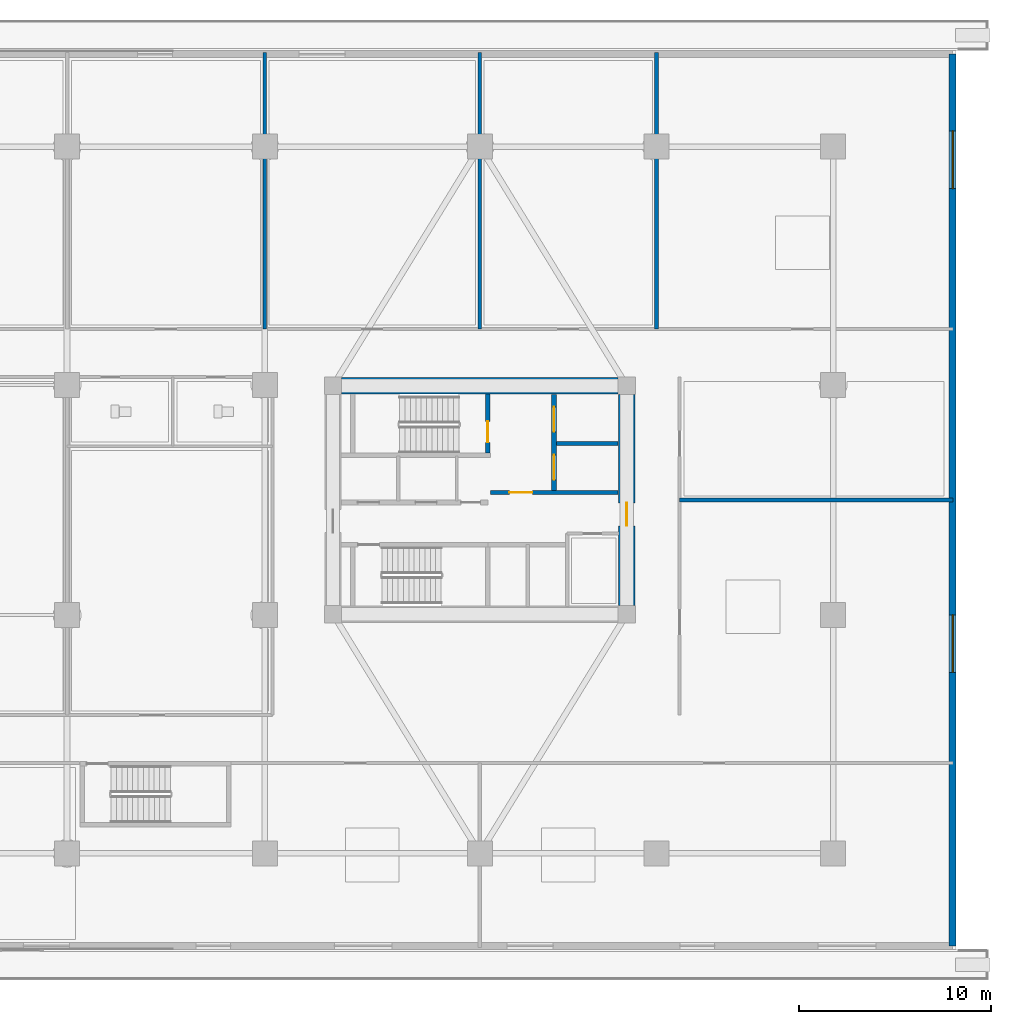
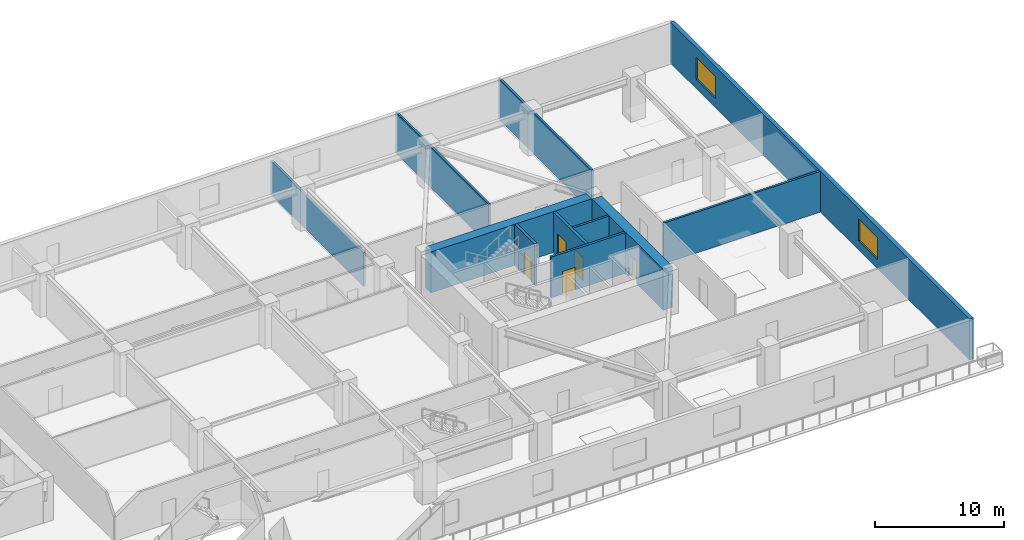
# One storey, part 11 of 22: 11 walls, 5 doors, 2 windows, 7 openings.
"""IFC4 building model written with IfcOpenShell, lengths in metres."""

from ifc_helpers import new_model, si_unit, direction, frame, frame_2d, origin, place, context, subcontext, project, spatial, rectangle, extrude, source, transform, mapped, material, layer, layer_set, type_object, type_shapes, element, fill, save


model = new_model("IFC4")

# Units and contexts
model_context = context("Model", 3, precision=1e-05, world=origin(), true_north=direction((0.0, 1.0)))
body_context = subcontext(model_context, "Body", "Model", "MODEL_VIEW")
ifc_project = project(units=[si_unit("LENGTHUNIT", "METRE"), si_unit("AREAUNIT", "SQUARE_METRE"), si_unit("VOLUMEUNIT", "CUBIC_METRE"), si_unit("PLANEANGLEUNIT", "RADIAN"), si_unit("MASSUNIT", "GRAM", prefix="KILO")], contexts=[model_context])

# Site, building, storey
site_placement = place(None, origin())
site = spatial("IfcSite", under=ifc_project, at=site_placement, CompositionType="ELEMENT")
building_placement = place(site_placement, origin())
building = spatial("IfcBuilding", under=site, at=building_placement, Name="Norrkilde Senior Care Towers", CompositionType="ELEMENT")
storey_placement = place(building_placement, frame((0.0, 0.0, 4.199951171875)))
storey = spatial("IfcBuildingStorey", under=building, at=storey_placement, Name="L01", CompositionType="ELEMENT", Elevation=4.199951171875)

# Wall
ifc_material_1 = material(Name="Concrete C60/75", Category="concrete")
ifc_layer_1 = layer(ifc_material_1, 0.85009765625)
ifc_layer_set_1 = layer_set([ifc_layer_1], Name="Concrete C60/75")
wall_type_1 = type_object("IfcWallType", Name="Core Shear Wall Z1 850", PredefinedType="SHEAR", material=ifc_layer_set_1)
shared_shape_1 = source(origin(), body_context, "Body", "SweptSolid", [
    extrude(rectangle(XDim=14.39990234375, YDim=0.85009765625, at=frame_2d((7.199951171875, 0.0))), origin(), (0.0, 0.0, 1.0), 3.880126953125),
])
wall_1_placement = place(storey_placement, frame((20.800048828125, 5.949951171875, 0.0), z_axis=(0.0, 0.0, 1.0), x_axis=(1.0, 0.0, 0.0)))
element("IfcWall", 1, at=wall_1_placement, inside=storey, type_object=wall_type_1, Name="L01 Core E North Shear Wall", PredefinedType="SHEAR", context=body_context, shape_type="MappedRepresentation", body=[
    mapped(shared_shape_1, transform((0.0, 0.0, 0.0), x_axis=(1.0, 0.0, 0.0), y_axis=(0.0, 1.0, 0.0), z_axis=(0.0, 0.0, 1.0), scale=1.0)),
])

# Wall, opening, door
shared_shape_2 = source(origin(), body_context, "Body", "SweptSolid", [
    extrude(rectangle(XDim=11.0, YDim=0.85009765625, at=frame_2d((5.5, 0.0))), origin(), (0.0, 0.0, 1.0), 3.880126953125),
])
type_shapes(wall_type_1, [shared_shape_1, shared_shape_2])
wall_2_placement = place(storey_placement, frame((35.64990234375, 5.5, 0.0), z_axis=(0.0, 0.0, 1.0), x_axis=(0.0, -1.0, 0.0)))
wall_2 = element("IfcWall", 2, at=wall_2_placement, inside=storey, type_object=wall_type_1, Name="L01 Core E East Shear Wall", PredefinedType="SHEAR", context=body_context, shape_type="MappedRepresentation", body=[
    mapped(shared_shape_2, transform((0.0, 0.0, 0.0), x_axis=(1.0, 0.0, 0.0), y_axis=(0.0, 1.0, 0.0), z_axis=(0.0, 0.0, 1.0), scale=1.0)),
])
opening_1_placement = place(wall_2_placement, frame((5.64990234375, 0.0, 0.0)))
opening_1 = element("IfcOpeningElement", 3, at=opening_1_placement, cuts=wall_2, Name="Opening D-04", PredefinedType="OPENING", context=body_context, shape_type="SweptSolid", body=[
    extrude(rectangle(XDim=1.199951171875, YDim=2.14990234375, at=frame_2d((0.60009765625, 1.074951171875))), frame((0.0, 0.43505859375, 0.0), z_axis=(0.0, -1.0, 0.0), x_axis=(1.0, 0.0, 0.0)), (0.0, 0.0, 1.0), 0.8701171875),
])
ifc_material_2 = material(Name="Galvanised Painted Steel", Category="steel")
door_type_1 = type_object("IfcDoorType", Name="Firefighting Lobby Fire Door 1200x2150", OperationType="NOTDEFINED", PredefinedType="DOOR", material=ifc_material_2)
shared_shape_3 = source(origin(), body_context, "Body", "SweptSolid", [
    extrude(rectangle(XDim=1.199951171875, YDim=2.14990234375, at=frame_2d((0.60009765625, 1.074951171875))), frame((0.0, 0.02490234375, 0.0), z_axis=(0.0, -1.0, 0.0), x_axis=(1.0, 0.0, 0.0)), (0.0, 0.0, 1.0), 0.050048828125),
])
type_shapes(door_type_1, [shared_shape_3])
door_1_placement = place(opening_1_placement, frame((1.199951171875, 0.0, 0.0), z_axis=(0.0, 0.0, 1.0), x_axis=(-1.0, 0.0, 0.0)))
door_1 = element("IfcDoor", 4, at=door_1_placement, inside=storey, type_object=door_type_1, Name="L01 Core E East Portal Door", OperationType="SINGLE_SWING_RIGHT", OverallHeight=2.14990234375, OverallWidth=1.199951171875, PredefinedType="DOOR", context=body_context, shape_type="MappedRepresentation", body=[
    mapped(shared_shape_3, transform((0.0, 0.0, 0.0), x_axis=(1.0, 0.0, 0.0), y_axis=(0.0, 1.0, 0.0), z_axis=(0.0, 0.0, 1.0), scale=1.0)),
])
fill(opening_1, door_1)

# Wall, openings, windows
ifc_material_3 = material(Name="Precast concrete C45/55", Category="concrete")
ifc_layer_2 = layer(ifc_material_3, 0.360107421875)
ifc_layer_set_2 = layer_set([ifc_layer_2], Name="Precast concrete C45/55")
wall_type_2 = type_object("IfcWallType", Name="Podium Facade Wall 360", PredefinedType="SOLIDWALL", material=ifc_layer_set_2)
shared_shape_4 = source(origin(), body_context, "Body", "SweptSolid", [
    extrude(rectangle(XDim=46.43994140625, YDim=0.360107421875, at=frame_2d((23.219970703125, 0.0))), origin(), (0.0, 0.0, 1.0), 3.880126953125),
])
type_shapes(wall_type_2, [shared_shape_4])
wall_3_placement = place(storey_placement, frame((52.6201171875, 23.219970703125, 0.0), z_axis=(0.0, 0.0, 1.0), x_axis=(0.0, -1.0, 0.0)))
wall_3 = element("IfcWall", 5, at=wall_3_placement, inside=storey, type_object=wall_type_2, Name="L01 Podium E Facade Wall", PredefinedType="SOLIDWALL", context=body_context, shape_type="MappedRepresentation", body=[
    mapped(shared_shape_4, transform((0.0, 0.0, 0.0), x_axis=(1.0, 0.0, 0.0), y_axis=(0.0, 1.0, 0.0), z_axis=(0.0, 0.0, 1.0), scale=1.0)),
])
opening_2_placement = place(wall_3_placement, frame((4.0, 0.0, 0.85009765625)))
opening_2 = element("IfcOpeningElement", 6, at=opening_2_placement, cuts=wall_3, Name="Opening WN-02", PredefinedType="OPENING", context=body_context, shape_type="SweptSolid", body=[
    extrude(rectangle(XDim=3.0, YDim=2.10009765625, at=frame_2d((1.5, 1.050048828125))), frame((0.0, 0.18994140625, 0.0), z_axis=(0.0, -1.0, 0.0), x_axis=(1.0, 0.0, 0.0)), (0.0, 0.0, 1.0), 0.380126953125),
])
opening_3_placement = place(wall_3_placement, frame((29.199951171875, 0.0, 0.85009765625)))
opening_3 = element("IfcOpeningElement", 7, at=opening_3_placement, cuts=wall_3, Name="Opening WN-02", PredefinedType="OPENING", context=body_context, shape_type="SweptSolid", body=[
    extrude(rectangle(XDim=3.0, YDim=2.10009765625, at=frame_2d((1.5, 1.050048828125))), frame((0.0, 0.18994140625, 0.0), z_axis=(0.0, -1.0, 0.0), x_axis=(1.0, 0.0, 0.0)), (0.0, 0.0, 1.0), 0.380126953125),
])
ifc_material_4 = material(Name="Triple Low-E Insulated Glazing", Category="glass")
window_type = type_object("IfcWindowType", Name="Podium Rehab Ribbon Window 3000x2100", PartitioningType="SINGLE_PANEL", PredefinedType="WINDOW", material=ifc_material_4)
shared_shape_5 = source(origin(), body_context, "Body", "SweptSolid", [
    extrude(rectangle(XDim=3.0, YDim=2.10009765625, at=frame_2d((1.5, 1.050048828125))), frame((0.0, 0.030029296875, 0.0), z_axis=(0.0, -1.0, 0.0), x_axis=(1.0, 0.0, 0.0)), (0.0, 0.0, 1.0), 0.06005859375),
])
type_shapes(window_type, [shared_shape_5])
window_1_placement = place(opening_2_placement, origin())
window_1 = element("IfcWindow", 8, at=window_1_placement, inside=storey, type_object=window_type, Name="L01 E Window 01", OverallHeight=2.10009765625, OverallWidth=3.0, PartitioningType="SINGLE_PANEL", PredefinedType="WINDOW", context=body_context, shape_type="MappedRepresentation", body=[
    mapped(shared_shape_5, transform((0.0, 0.0, 0.0), x_axis=(1.0, 0.0, 0.0), y_axis=(0.0, 1.0, 0.0), z_axis=(0.0, 0.0, 1.0), scale=1.0)),
])
fill(opening_2, window_1)
window_2_placement = place(opening_3_placement, origin())
window_2 = element("IfcWindow", 9, at=window_2_placement, inside=storey, type_object=window_type, Name="L01 E Window 04", OverallHeight=2.10009765625, OverallWidth=3.0, PartitioningType="SINGLE_PANEL", PredefinedType="WINDOW", context=body_context, shape_type="MappedRepresentation", body=[
    mapped(shared_shape_5, transform((0.0, 0.0, 0.0), x_axis=(1.0, 0.0, 0.0), y_axis=(0.0, 1.0, 0.0), z_axis=(0.0, 0.0, 1.0), scale=1.0)),
])
fill(opening_3, window_2)

# Wall, openings, doors
ifc_material_5 = material(Name="Concrete C45/55", Category="concrete")
ifc_layer_3 = layer(ifc_material_5, 0.239990234375)
ifc_layer_set_3 = layer_set([ifc_layer_3], Name="Concrete C45/55")
wall_type_3 = type_object("IfcWallType", Name="Lift and Plant Rated Enclosure Partition 240", PredefinedType="PARTITIONING", material=ifc_layer_set_3)
shared_shape_6 = source(origin(), body_context, "Body", "SweptSolid", [
    extrude(rectangle(XDim=5.0, YDim=0.239990234375, at=frame_2d((2.5, 0.0))), origin(), (0.0, 0.0, 1.0), 3.864990234375),
])
type_shapes(wall_type_3, [shared_shape_6])
wall_4_placement = place(storey_placement, frame((31.860107421875, 0.5, 0.0), z_axis=(0.0, 0.0, 1.0), x_axis=(0.0, 1.0, 0.0)))
wall_4 = element("IfcWall", 10, at=wall_4_placement, inside=storey, type_object=wall_type_3, Name="WL-INT-L01-E-FFLE", PredefinedType="PARTITIONING", context=body_context, shape_type="MappedRepresentation", body=[
    mapped(shared_shape_6, transform((0.0, 0.0, 0.0), x_axis=(1.0, 0.0, 0.0), y_axis=(0.0, 1.0, 0.0), z_axis=(0.0, 0.0, 1.0), scale=1.0)),
])
opening_4_placement = place(wall_4_placement, frame((3.050048828125, 0.0, 0.0)))
opening_4 = element("IfcOpeningElement", 11, at=opening_4_placement, cuts=wall_4, Name="Opening LD-02", PredefinedType="OPENING", context=body_context, shape_type="SweptSolid", body=[
    extrude(rectangle(XDim=1.300048828125, YDim=2.199951171875, at=frame_2d((0.64990234375, 1.10009765625))), frame((0.0, 0.1298828125, 0.0), z_axis=(0.0, -1.0, 0.0), x_axis=(1.0, 0.0, 0.0)), (0.0, 0.0, 1.0), 0.260009765625),
])
opening_5_placement = place(wall_4_placement, frame((0.550048828125, 0.0, 0.0)))
opening_5 = element("IfcOpeningElement", 12, at=opening_5_placement, cuts=wall_4, Name="Opening LD-02", PredefinedType="OPENING", context=body_context, shape_type="SweptSolid", body=[
    extrude(rectangle(XDim=1.300048828125, YDim=2.199951171875, at=frame_2d((0.64990234375, 1.10009765625))), frame((0.0, 0.1298828125, 0.0), z_axis=(0.0, -1.0, 0.0), x_axis=(1.0, 0.0, 0.0)), (0.0, 0.0, 1.0), 0.260009765625),
])
ifc_material_6 = material(Name="Stainless Steel", Category="steel")
door_type_2 = type_object("IfcDoorType", Name="Stretcher and FFL Landing Sliding Door 1300x2200", OperationType="NOTDEFINED", PredefinedType="DOOR", material=ifc_material_6)
shared_shape_7 = source(origin(), body_context, "Body", "SweptSolid", [
    extrude(rectangle(XDim=1.300048828125, YDim=2.199951171875, at=frame_2d((0.64990234375, 1.10009765625))), frame((0.0, 0.02490234375, 0.0), z_axis=(0.0, -1.0, 0.0), x_axis=(1.0, 0.0, 0.0)), (0.0, 0.0, 1.0), 0.050048828125),
])
type_shapes(door_type_2, [shared_shape_7])
door_2_placement = place(opening_4_placement, origin())
door_2 = element("IfcDoor", 13, at=door_2_placement, inside=storey, type_object=door_type_2, Name="L01 Firefighting Lift E1 Landing Door", OperationType="SLIDING_TO_LEFT", OverallHeight=2.199951171875, OverallWidth=1.300048828125, PredefinedType="DOOR", context=body_context, shape_type="MappedRepresentation", body=[
    mapped(shared_shape_7, transform((0.0, 0.0, 0.0), x_axis=(1.0, 0.0, 0.0), y_axis=(0.0, 1.0, 0.0), z_axis=(0.0, 0.0, 1.0), scale=1.0)),
])
fill(opening_4, door_2)
door_3_placement = place(opening_5_placement, origin())
door_3 = element("IfcDoor", 14, at=door_3_placement, inside=storey, type_object=door_type_2, Name="L01 Stretcher Lift E1 Landing Door", OperationType="SLIDING_TO_RIGHT", OverallHeight=2.199951171875, OverallWidth=1.300048828125, PredefinedType="DOOR", context=body_context, shape_type="MappedRepresentation", body=[
    mapped(shared_shape_7, transform((0.0, 0.0, 0.0), x_axis=(1.0, 0.0, 0.0), y_axis=(0.0, 1.0, 0.0), z_axis=(0.0, 0.0, 1.0), scale=1.0)),
])
fill(opening_5, door_3)

# Wall
ifc_layer_4 = layer(ifc_material_5, 0.199951171875)
ifc_layer_set_4 = layer_set([ifc_layer_4], Name="Concrete C45/55")
wall_type_4 = type_object("IfcWallType", Name="Shaft Division and Plant Partition 200", PredefinedType="PARTITIONING", material=ifc_layer_set_4)
shared_shape_8 = source(origin(), body_context, "Body", "SweptSolid", [
    extrude(rectangle(XDim=3.199951171875, YDim=0.199951171875, at=frame_2d((1.60009765625, 0.0))), origin(), (0.0, 0.0, 1.0), 3.864990234375),
])
type_shapes(wall_type_4, [shared_shape_8])
wall_5_placement = place(storey_placement, frame((32.0, 2.949951171875, 0.0), z_axis=(0.0, 0.0, 1.0), x_axis=(1.0, 0.0, 0.0)))
element("IfcWall", 15, at=wall_5_placement, inside=storey, type_object=wall_type_4, Name="WL-INT-L01-E-FFLDIV", PredefinedType="PARTITIONING", context=body_context, shape_type="MappedRepresentation", body=[
    mapped(shared_shape_8, transform((0.0, 0.0, 0.0), x_axis=(1.0, 0.0, 0.0), y_axis=(0.0, 1.0, 0.0), z_axis=(0.0, 0.0, 1.0), scale=1.0)),
])

# Wall, opening, door
ifc_layer_5 = layer(ifc_material_5, 0.2099609375)
ifc_layer_set_5 = layer_set([ifc_layer_5], Name="Concrete C45/55")
wall_type_5 = type_object("IfcWallType", Name="Firefighting Lobby Wall 210", PredefinedType="PARTITIONING", material=ifc_layer_set_5)
shared_shape_9 = source(origin(), body_context, "Body", "SweptSolid", [
    extrude(rectangle(XDim=6.659912109375, YDim=0.2099609375, at=frame_2d((3.330078125, 0.0))), origin(), (0.0, 0.0, 1.0), 3.864990234375),
])
type_shapes(wall_type_5, [shared_shape_9])
wall_6_placement = place(storey_placement, frame((28.5400390625, 0.389892578125, 0.0), z_axis=(0.0, 0.0, 1.0), x_axis=(1.0, 0.0, 0.0)))
wall_6 = element("IfcWall", 16, at=wall_6_placement, inside=storey, type_object=wall_type_5, Name="WL-INT-L01-E-FFLS", PredefinedType="PARTITIONING", context=body_context, shape_type="MappedRepresentation", body=[
    mapped(shared_shape_9, transform((0.0, 0.0, 0.0), x_axis=(1.0, 0.0, 0.0), y_axis=(0.0, 1.0, 0.0), z_axis=(0.0, 0.0, 1.0), scale=1.0)),
])
opening_6_placement = place(wall_6_placement, frame((1.0, 0.0, 0.0)))
opening_6 = element("IfcOpeningElement", 17, at=opening_6_placement, cuts=wall_6, Name="Opening D-04", PredefinedType="OPENING", context=body_context, shape_type="SweptSolid", body=[
    extrude(rectangle(XDim=1.199951171875, YDim=2.14990234375, at=frame_2d((0.60009765625, 1.074951171875))), frame((0.0, 0.114990234375, 0.0), z_axis=(0.0, -1.0, 0.0), x_axis=(1.0, 0.0, 0.0)), (0.0, 0.0, 1.0), 0.22998046875),
])
door_4_placement = place(opening_6_placement, frame((1.199951171875, 0.0, 0.0), z_axis=(0.0, 0.0, 1.0), x_axis=(-1.0, 0.0, 0.0)))
door_4 = element("IfcDoor", 18, at=door_4_placement, inside=storey, type_object=door_type_1, Name="L01 Firefighting Lobby E Door", OperationType="SINGLE_SWING_LEFT", OverallHeight=2.14990234375, OverallWidth=1.199951171875, PredefinedType="DOOR", context=body_context, shape_type="MappedRepresentation", body=[
    mapped(shared_shape_3, transform((0.0, 0.0, 0.0), x_axis=(1.0, 0.0, 0.0), y_axis=(0.0, 1.0, 0.0), z_axis=(0.0, 0.0, 1.0), scale=1.0)),
])
fill(opening_6, door_4)

ifc_layer_6 = layer(ifc_material_5, 0.239990234375)
ifc_layer_set_6 = layer_set([ifc_layer_6], Name="Concrete C45/55")
wall_type_6 = type_object("IfcWallType", Name="Shaft and Stair Enclosure Wall 240", PredefinedType="PARTITIONING", material=ifc_layer_set_6)
shared_shape_10 = source(origin(), body_context, "Body", "SweptSolid", [
    extrude(rectangle(XDim=3.074951171875, YDim=0.239990234375, at=frame_2d((1.53759765625, 0.0))), origin(), (0.0, 0.0, 1.0), 3.880126953125),
])
type_shapes(wall_type_6, [shared_shape_10])
wall_7_placement = place(storey_placement, frame((28.419921875, 2.449951171875, 0.0), z_axis=(0.0, 0.0, 1.0), x_axis=(0.0, 1.0, 0.0)))
wall_7 = element("IfcWall", 19, at=wall_7_placement, inside=storey, type_object=wall_type_6, Name="WL-INT-L01-E-ST1E", PredefinedType="PARTITIONING", context=body_context, shape_type="MappedRepresentation", body=[
    mapped(shared_shape_10, transform((0.0, 0.0, 0.0), x_axis=(1.0, 0.0, 0.0), y_axis=(0.0, 1.0, 0.0), z_axis=(0.0, 0.0, 1.0), scale=1.0)),
])
opening_7_placement = place(wall_7_placement, frame((0.550048828125, 0.0, 0.0)))
opening_7 = element("IfcOpeningElement", 20, at=opening_7_placement, cuts=wall_7, Name="Opening D-03", PredefinedType="OPENING", context=body_context, shape_type="SweptSolid", body=[
    extrude(rectangle(XDim=1.10009765625, YDim=2.14990234375, at=frame_2d((0.550048828125, 1.074951171875))), frame((0.0, 0.1298828125, 0.0), z_axis=(0.0, -1.0, 0.0), x_axis=(1.0, 0.0, 0.0)), (0.0, 0.0, 1.0), 0.260009765625),
])
door_type_3 = type_object("IfcDoorType", Name="Stairwell Protected Fire Door 1100x2150", OperationType="NOTDEFINED", PredefinedType="DOOR", material=ifc_material_2)
shared_shape_11 = source(origin(), body_context, "Body", "SweptSolid", [
    extrude(rectangle(XDim=1.10009765625, YDim=2.14990234375, at=frame_2d((0.550048828125, 1.074951171875))), frame((0.0, 0.02490234375, 0.0), z_axis=(0.0, -1.0, 0.0), x_axis=(1.0, 0.0, 0.0)), (0.0, 0.0, 1.0), 0.050048828125),
])
type_shapes(door_type_3, [shared_shape_11])
door_5_placement = place(opening_7_placement, origin())
door_5 = element("IfcDoor", 21, at=door_5_placement, inside=storey, type_object=door_type_3, Name="L01 Stair E1 Fire Door", OperationType="SINGLE_SWING_LEFT", OverallHeight=2.14990234375, OverallWidth=1.10009765625, PredefinedType="DOOR", context=body_context, shape_type="MappedRepresentation", body=[
    mapped(shared_shape_11, transform((0.0, 0.0, 0.0), x_axis=(1.0, 0.0, 0.0), y_axis=(0.0, 1.0, 0.0), z_axis=(0.0, 0.0, 1.0), scale=1.0)),
])
fill(opening_7, door_5)

# Walls
ifc_material_7 = material(Name="Gypsum Acoustic Board")
ifc_layer_7 = layer(ifc_material_7, 0.18994140625)
ifc_layer_set_7 = layer_set([ifc_layer_7], Name="Gypsum Acoustic Board")
wall_type_7 = type_object("IfcWallType", Name="Unit Demising Acoustic Wall 190", PredefinedType="PARTITIONING", material=ifc_layer_set_7)
shared_shape_12 = source(origin(), body_context, "Body", "SweptSolid", [
    extrude(rectangle(XDim=14.25, YDim=0.18994140625, at=frame_2d((7.125, 0.0))), origin(), (0.0, 0.0, 1.0), 3.864990234375),
])
wall_8_placement = place(storey_placement, frame((38.39990234375, 0.0, 0.0), z_axis=(0.0, 0.0, 1.0), x_axis=(1.0, 0.0, 0.0)))
element("IfcWall", 22, at=wall_8_placement, inside=storey, type_object=wall_type_7, Name="WL-INT-L01-POD-OEH", PredefinedType="PARTITIONING", context=body_context, shape_type="MappedRepresentation", body=[
    mapped(shared_shape_12, transform((0.0, 0.0, 0.0), x_axis=(1.0, 0.0, 0.0), y_axis=(0.0, 1.0, 0.0), z_axis=(0.0, 0.0, 1.0), scale=1.0)),
])
shared_shape_13 = source(origin(), body_context, "Body", "SweptSolid", [
    extrude(rectangle(XDim=14.400146484375, YDim=0.18994140625, at=frame_2d((7.2001953125, 0.0))), origin(), (0.0, 0.0, 1.0), 3.864990234375),
])
for number, where, z_axis, x_axis, name in (
    (23, (28.0, 8.89990234375, 0.0), (0.0, 0.0, 1.0), (0.0, 1.0, 0.0), "WL-INT-L01-POD-NPV7"),
    (24, (37.199951171875, 8.89990234375, 0.0), (0.0, 0.0, 1.0), (0.0, 1.0, 0.0), "WL-INT-L01-POD-NPV8"),
):
    element("IfcWall", number, at=place(storey_placement, frame(where, z_axis=z_axis, x_axis=x_axis)), inside=storey, type_object=wall_type_7, Name=name, PredefinedType="PARTITIONING", context=body_context, shape_type="MappedRepresentation", body=[
        mapped(shared_shape_13, transform((0.0, 0.0, 0.0), x_axis=(1.0, 0.0, 0.0), y_axis=(0.0, 1.0, 0.0), z_axis=(0.0, 0.0, 1.0), scale=1.0)),
    ])
shared_shape_14 = source(origin(), body_context, "Body", "SweptSolid", [
    extrude(rectangle(XDim=14.400146484375, YDim=0.18994140625, at=frame_2d((7.2001953125, 0.0))), origin(), (0.0, 0.0, 1.0), 3.215087890625),
])
type_shapes(wall_type_7, [shared_shape_12, shared_shape_13, shared_shape_14])
wall_9_placement = place(storey_placement, frame((16.800048828125, 8.89990234375, 0.0), z_axis=(0.0, 0.0, 1.0), x_axis=(0.0, 1.0, 0.0)))
element("IfcWall", 25, at=wall_9_placement, inside=storey, type_object=wall_type_7, Name="WL-INT-L01-POD-NPV6", PredefinedType="PARTITIONING", context=body_context, shape_type="MappedRepresentation", body=[
    mapped(shared_shape_14, transform((0.0, 0.0, 0.0), x_axis=(1.0, 0.0, 0.0), y_axis=(0.0, 1.0, 0.0), z_axis=(0.0, 0.0, 1.0), scale=1.0)),
])

save(model, "model.ifc")
